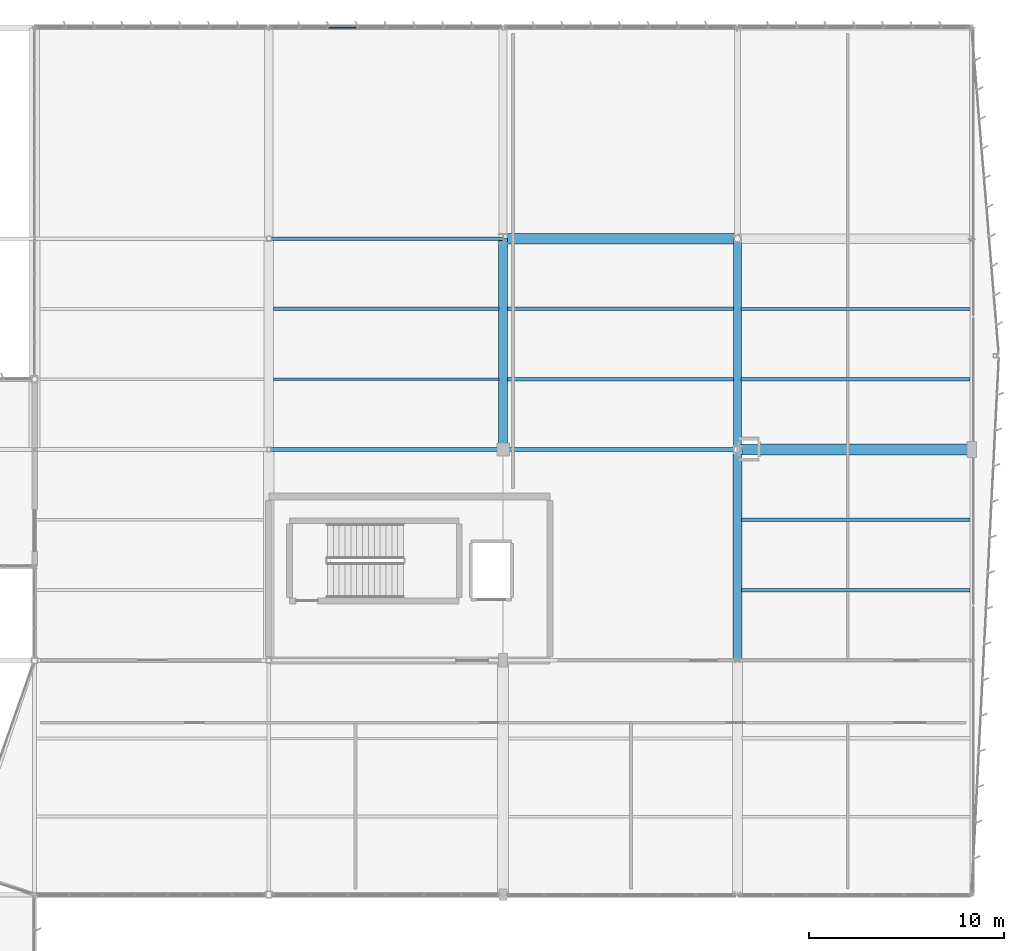
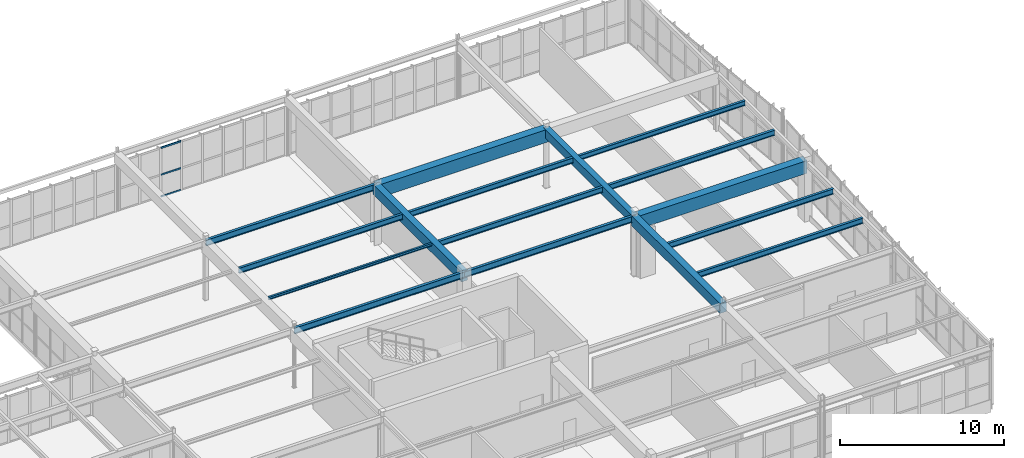
# One storey, part 108 of 186: 16 beams, 3 members, 1 element without a shape of its own.
"""IFC4 building model written with IfcOpenShell, lengths in metres."""

from ifc_helpers import new_model, si_unit, direction, frame, origin, origin_2d, place, context, subcontext, project, spatial, rectangle, i_section, extrude, material, layer, layer_set, material_profile, profile_set, type_object, element, aggregate, save


model = new_model("IFC4")

# Units and contexts
model_context = context("Model", 3, precision=1e-05, world=origin(), true_north=direction((0.0, 1.0)))
body_context = subcontext(model_context, "Body", "Model", "MODEL_VIEW")
ifc_project = project(units=[si_unit("LENGTHUNIT", "METRE"), si_unit("AREAUNIT", "SQUARE_METRE"), si_unit("VOLUMEUNIT", "CUBIC_METRE"), si_unit("PLANEANGLEUNIT", "RADIAN"), si_unit("MASSUNIT", "GRAM", prefix="KILO")], contexts=[model_context])

# Site, building, storey
site_placement = place(None, origin())
site = spatial("IfcSite", under=ifc_project, at=site_placement, CompositionType="ELEMENT")
building_placement = place(site_placement, origin())
building = spatial("IfcBuilding", under=site, at=building_placement, Name="Tarnwether General Hospital", CompositionType="ELEMENT")
storey_placement = place(building_placement, frame((0.0, 0.0, 9.60009765625)))
storey = spatial("IfcBuildingStorey", under=building, at=storey_placement, Name="L02", CompositionType="ELEMENT", Elevation=9.60009765625)

# Beams
ifc_material_1 = material(Name="Steel Grade 350 (350 MPa)", Category="steel")
ifc_material_profile_1 = material_profile(ifc_material_1, i_section(OverallWidth=0.18994140625, OverallDepth=0.45703125, WebThickness=0.009033203125, FlangeThickness=0.014404296875, at=origin_2d()), Name="460UB74.6")
ifc_profile_set_1 = profile_set([ifc_material_profile_1], Name="Steel Grade 350 (350 MPa)")
beam_type_1 = type_object("IfcBeamType", Name="BM-G09", PredefinedType="BEAM", material=ifc_profile_set_1)
beam_1_placement = place(storey_placement, frame((156.0, 104.39990234375, 4.21630859375), z_axis=(1.0, 0.0, 0.0), x_axis=(0.0, 1.0, 0.0)))
element("IfcBeam", 1, at=beam_1_placement, inside=storey, type_object=beam_type_1, Name="Primary Girder BMG-L02-15600_10440-16800_10440-1601", PredefinedType="BEAM", context=body_context, shape_type="SweptSolid", body=[
    extrude(i_section(OverallWidth=0.18994140625, OverallDepth=0.45703125, WebThickness=0.009033203125, FlangeThickness=0.014404296875, at=origin_2d()), origin(), (0.0, 0.0, 1.0), 12.0),
])
ifc_material_2 = material(Name="Steel Grade 350 (350 MPa)", Category="steel")
ifc_material_profile_2 = material_profile(ifc_material_2, i_section(OverallWidth=0.18994140625, OverallDepth=0.4541015625, WebThickness=0.008544921875, FlangeThickness=0.0126953125, at=origin_2d()), Name="460UB67.1")
ifc_profile_set_2 = profile_set([ifc_material_profile_2], Name="Steel Grade 350 (350 MPa)")
beam_type_2 = type_object("IfcBeamType", Name="BM-G10", PredefinedType="BEAM", material=ifc_profile_set_2)
for number, where, z_axis, x_axis, name in (
    (2, (156.0, 115.199951171875, 4.218017578125), (1.0, 0.0, 0.0), (0.0, 1.0, 0.0), "Primary Girder BMG-L02-15600_11520-16800_11520-1603"),
    (3, (168.0, 104.39990234375, 4.212890625), (1.0, 0.0, 0.0), (0.0, 1.0, 0.0), "Primary Girder BMG-L02-16800_10440-18000_10440-1617"),
):
    element("IfcBeam", number, at=place(storey_placement, frame(where, z_axis=z_axis, x_axis=x_axis)), inside=storey, type_object=beam_type_2, Name=name, PredefinedType="BEAM", context=body_context, shape_type="SweptSolid", body=[
        extrude(i_section(OverallWidth=0.18994140625, OverallDepth=0.4541015625, WebThickness=0.008544921875, FlangeThickness=0.0126953125, at=origin_2d()), origin(), (0.0, 0.0, 1.0), 12.0),
    ])
ifc_material_3 = material(Name="Concrete 40 MPa", Category="concrete")
ifc_material_profile_3 = material_profile(ifc_material_3, rectangle(XDim=0.550048828125, YDim=0.949951171875, at=origin_2d()), Name="RC-BM-550x950")
ifc_profile_set_3 = profile_set([ifc_material_profile_3], Name="Concrete 40 MPa")
beam_type_3 = type_object("IfcBeamType", Name="BM-G11", PredefinedType="BEAM", material=ifc_profile_set_3)
for number, where, z_axis, x_axis, name in (
    (4, (168.0, 115.199951171875, 3.96484375), (1.0, 0.0, 0.0), (0.0, 1.0, 0.0), "Primary Girder BMG-L02-16800_11520-18000_11520-1619"),
    (5, (180.0, 104.39990234375, 3.96484375), (1.0, 0.0, 0.0), (0.0, 1.0, 0.0), "Primary Girder BMG-L02-18000_10440-19200_10440-1635"),
):
    element("IfcBeam", number, at=place(storey_placement, frame(where, z_axis=z_axis, x_axis=x_axis)), inside=storey, type_object=beam_type_3, Name=name, PredefinedType="BEAM", context=body_context, shape_type="SweptSolid", body=[
        extrude(rectangle(XDim=0.550048828125, YDim=0.949951171875, at=origin_2d()), origin(), (0.0, 0.0, 1.0), 12.0),
    ])
ifc_material_4 = material(Name="Concrete 40 MPa", Category="concrete")
ifc_material_profile_4 = material_profile(ifc_material_4, rectangle(XDim=0.449951171875, YDim=0.75, at=origin_2d()), Name="RC-BM-450x750")
ifc_profile_set_4 = profile_set([ifc_material_profile_4], Name="Concrete 40 MPa")
beam_type_4 = type_object("IfcBeamType", Name="BM-G13", PredefinedType="BEAM", material=ifc_profile_set_4)
beam_2_placement = place(storey_placement, frame((168.0, 104.39990234375, 4.06982421875), z_axis=(0.0, 1.0, 0.0), x_axis=(-1.0, 0.0, 0.0)))
element("IfcBeam", 6, at=beam_2_placement, inside=storey, type_object=beam_type_4, Name="Primary Girder BMG-L02-16800_10440-16800_11520-1618", PredefinedType="BEAM", context=body_context, shape_type="SweptSolid", body=[
    extrude(rectangle(XDim=0.449951171875, YDim=0.75, at=origin_2d()), origin(), (0.0, 0.0, 1.0), 10.800048828125),
])
beam_3_placement = place(storey_placement, frame((180.0, 93.60009765625, 4.06494140625), z_axis=(0.0, 1.0, 0.0), x_axis=(-1.0, 0.0, 0.0)))
element("IfcBeam", 7, at=beam_3_placement, inside=storey, type_object=beam_type_4, Name="Primary Girder BMG-L02-18000_9360-18000_10440-1634", PredefinedType="BEAM", context=body_context, shape_type="SweptSolid", body=[
    extrude(rectangle(XDim=0.449951171875, YDim=0.75, at=origin_2d()), origin(), (0.0, 0.0, 1.0), 10.7998046875),
])
ifc_material_5 = material(Name="Concrete 40 MPa", Category="concrete")
ifc_material_profile_5 = material_profile(ifc_material_5, rectangle(XDim=0.39990234375, YDim=0.64990234375, at=origin_2d()), Name="RC-BM-400x650")
ifc_profile_set_5 = profile_set([ifc_material_profile_5], Name="Concrete 40 MPa")
beam_type_5 = type_object("IfcBeamType", Name="BM-G14", PredefinedType="BEAM", material=ifc_profile_set_5)
beam_4_placement = place(storey_placement, frame((180.0, 104.39990234375, 4.114990234375), z_axis=(0.0, 1.0, 0.0), x_axis=(-1.0, 0.0, 0.0)))
element("IfcBeam", 8, at=beam_4_placement, inside=storey, type_object=beam_type_5, Name="Primary Girder BMG-L02-18000_10440-18000_11520-1636", PredefinedType="BEAM", context=body_context, shape_type="SweptSolid", body=[
    extrude(rectangle(XDim=0.39990234375, YDim=0.64990234375, at=origin_2d()), origin(), (0.0, 0.0, 1.0), 10.800048828125),
])
ifc_material_6 = material(Name="Steel Grade 350 (350 MPa)", Category="steel")
ifc_material_profile_6 = material_profile(ifc_material_6, i_section(OverallWidth=0.177978515625, OverallDepth=0.406005859375, WebThickness=0.0078125, FlangeThickness=0.0126953125, at=origin_2d()), Name="410UB59.7")
ifc_profile_set_6 = profile_set([ifc_material_profile_6], Name="Steel Grade 350 (350 MPa)")
beam_type_6 = type_object("IfcBeamType", Name="BM-J01", PredefinedType="JOIST", material=ifc_profile_set_6)
beam_5_placement = place(storey_placement, frame((156.243896484375, 111.60009765625, 4.241943359375), z_axis=(1.0, 0.0, 0.0), x_axis=(0.0, 1.0, 0.0)))
element("IfcBeam", 9, at=beam_5_placement, inside=storey, type_object=beam_type_6, Name="Composite Floor Joist BMG-L02-15624_11160-16778_11160-1729", PredefinedType="JOIST", context=body_context, shape_type="SweptSolid", body=[
    extrude(i_section(OverallWidth=0.177978515625, OverallDepth=0.406005859375, WebThickness=0.0078125, FlangeThickness=0.0126953125, at=origin_2d()), origin(), (0.0, 0.0, 1.0), 11.537109375),
])
beam_6_placement = place(storey_placement, frame((168.218994140625, 108.0, 4.23681640625), z_axis=(1.0, 0.0, 0.0), x_axis=(0.0, 1.0, 0.0)))
element("IfcBeam", 10, at=beam_6_placement, inside=storey, type_object=beam_type_6, Name="Composite Floor Joist BMG-L02-16822_10800-17981_10800-1738", PredefinedType="JOIST", context=body_context, shape_type="SweptSolid", body=[
    extrude(i_section(OverallWidth=0.177978515625, OverallDepth=0.406005859375, WebThickness=0.0078125, FlangeThickness=0.0126953125, at=origin_2d()), origin(), (0.0, 0.0, 1.0), 11.5869140625),
])
beam_7_placement = place(storey_placement, frame((180.218994140625, 97.199951171875, 4.23681640625), z_axis=(1.0, 0.0, 0.0), x_axis=(0.0, 1.0, 0.0)))
element("IfcBeam", 11, at=beam_7_placement, inside=storey, type_object=beam_type_6, Name="Composite Floor Joist BMG-L02-18022_9720-19191_9720-1750", PredefinedType="JOIST", context=body_context, shape_type="SweptSolid", body=[
    extrude(i_section(OverallWidth=0.177978515625, OverallDepth=0.406005859375, WebThickness=0.0078125, FlangeThickness=0.0126953125, at=origin_2d()), origin(), (0.0, 0.0, 1.0), 11.69189453125),
])
ifc_material_7 = material(Name="Steel Grade 350 (350 MPa)", Category="steel")
ifc_material_profile_7 = material_profile(ifc_material_7, i_section(OverallWidth=0.177978515625, OverallDepth=0.403076171875, WebThickness=0.007568359375, FlangeThickness=0.010986328125, at=origin_2d()), Name="410UB53.7")
ifc_profile_set_7 = profile_set([ifc_material_profile_7], Name="Steel Grade 350 (350 MPa)")
beam_type_7 = type_object("IfcBeamType", Name="BM-J02", PredefinedType="JOIST", material=ifc_profile_set_7)
beam_8_placement = place(storey_placement, frame((168.218994140625, 111.60009765625, 4.23828125), z_axis=(1.0, 0.0, 0.0), x_axis=(0.0, 1.0, 0.0)))
element("IfcBeam", 12, at=beam_8_placement, inside=storey, type_object=beam_type_7, Name="Composite Floor Joist BMG-L02-16822_11160-17981_11160-1739", PredefinedType="JOIST", context=body_context, shape_type="SweptSolid", body=[
    extrude(i_section(OverallWidth=0.177978515625, OverallDepth=0.403076171875, WebThickness=0.007568359375, FlangeThickness=0.010986328125, at=origin_2d()), origin(), (0.0, 0.0, 1.0), 11.5869140625),
])
beam_9_placement = place(storey_placement, frame((180.218994140625, 100.800048828125, 4.23828125), z_axis=(1.0, 0.0, 0.0), x_axis=(0.0, 1.0, 0.0)))
element("IfcBeam", 13, at=beam_9_placement, inside=storey, type_object=beam_type_7, Name="Composite Floor Joist BMG-L02-18022_10080-19191_10080-1751", PredefinedType="JOIST", context=body_context, shape_type="SweptSolid", body=[
    extrude(i_section(OverallWidth=0.177978515625, OverallDepth=0.403076171875, WebThickness=0.007568359375, FlangeThickness=0.010986328125, at=origin_2d()), origin(), (0.0, 0.0, 1.0), 11.69189453125),
])
beam_10_placement = place(storey_placement, frame((180.194091796875, 108.0, 4.23828125), z_axis=(1.0, 0.0, 0.0), x_axis=(0.0, 1.0, 0.0)))
element("IfcBeam", 14, at=beam_10_placement, inside=storey, type_object=beam_type_7, Name="Composite Floor Joist BMG-L02-18019_10800-19192_10800-1752", PredefinedType="JOIST", context=body_context, shape_type="SweptSolid", body=[
    extrude(i_section(OverallWidth=0.177978515625, OverallDepth=0.403076171875, WebThickness=0.007568359375, FlangeThickness=0.010986328125, at=origin_2d()), origin(), (0.0, 0.0, 1.0), 11.722900390625),
])
ifc_material_8 = material(Name="Steel Grade 350 (350 MPa)", Category="steel")
ifc_material_profile_8 = material_profile(ifc_material_8, i_section(OverallWidth=0.172119140625, OverallDepth=0.35888671875, WebThickness=0.008056640625, FlangeThickness=0.012939453125, at=origin_2d()), Name="360UB56.7")
ifc_profile_set_8 = profile_set([ifc_material_profile_8], Name="Steel Grade 350 (350 MPa)")
beam_type_8 = type_object("IfcBeamType", Name="BM-J03", PredefinedType="JOIST", material=ifc_profile_set_8)
beam_11_placement = place(storey_placement, frame((180.194091796875, 111.60009765625, 4.260498046875), z_axis=(1.0, 0.0, 0.0), x_axis=(0.0, 1.0, 0.0)))
element("IfcBeam", 15, at=beam_11_placement, inside=storey, type_object=beam_type_8, Name="Composite Floor Joist BMG-L02-18019_11160-19192_11160-1753", PredefinedType="JOIST", context=body_context, shape_type="SweptSolid", body=[
    extrude(i_section(OverallWidth=0.172119140625, OverallDepth=0.35888671875, WebThickness=0.008056640625, FlangeThickness=0.012939453125, at=origin_2d()), origin(), (0.0, 0.0, 1.0), 11.722900390625),
])
ifc_material_9 = material(Name="Steel Grade 350 (350 MPa)", Category="steel")
ifc_material_profile_9 = material_profile(ifc_material_9, i_section(OverallWidth=0.134033203125, OverallDepth=0.20703125, WebThickness=0.00634765625, FlangeThickness=0.009521484375, at=origin_2d()), Name="200UB29.8")
ifc_profile_set_9 = profile_set([ifc_material_profile_9], Name="Steel Grade 350 (350 MPa)")
beam_type_9 = type_object("IfcBeamType", Name="BM-J12", PredefinedType="JOIST", material=ifc_profile_set_9)
beam_12_placement = place(storey_placement, frame((156.243896484375, 108.0, 4.34130859375), z_axis=(1.0, 0.0, 0.0), x_axis=(0.0, 1.0, 0.0)))
element("IfcBeam", 16, at=beam_12_placement, inside=storey, type_object=beam_type_9, Name="Composite Floor Joist BMG-L02-15624_10800-16778_10800-1728", PredefinedType="JOIST", context=body_context, shape_type="SweptSolid", body=[
    extrude(i_section(OverallWidth=0.134033203125, OverallDepth=0.20703125, WebThickness=0.00634765625, FlangeThickness=0.009521484375, at=origin_2d()), origin(), (0.0, 0.0, 1.0), 11.537109375),
])

# Curtain wall, members
ifc_material_10 = material(Name="Anodised aluminium", Category="aluminium")
ifc_layer = layer(ifc_material_10, 0.159912109375)
ifc_layer_set = layer_set([ifc_layer], Name="Anodised aluminium")
curtain_wall_type = type_object("IfcCurtainWallType", Name="CW-16", PredefinedType="NOTDEFINED", material=ifc_layer_set)
curtain_wall_placement = place(storey_placement, origin())
curtain_wall = element("IfcCurtainWall", 17, at=curtain_wall_placement, inside=storey, type_object=curtain_wall_type, Name="Curtain Wall CWG-L02-1561_1260-0463", PredefinedType="NOTDEFINED")
ifc_material_11 = material(Name="Anodised aluminium", Category="aluminium")
ifc_material_profile_10 = material_profile(ifc_material_11, rectangle(XDim=0.06005859375, YDim=0.1201171875, at=origin_2d()), Name="ALU-TRN-60x120")
ifc_profile_set_10 = profile_set([ifc_material_profile_10], Name="Anodised aluminium")
member_type = type_object("IfcMemberType", Name="CW-TR1", PredefinedType="USERDEFINED", material=ifc_profile_set_10)
member_1_placement = place(storey_placement, frame((159.069091796875, 126.0, 0.02978515625), z_axis=(1.0, 0.0, 0.0), x_axis=(0.0, 1.0, 0.0)))
member_1 = element("IfcMember", 18, at=member_1_placement, type_object=member_type, Name="CW-16 transom 3.1", ObjectType="TRANSOM", PredefinedType="USERDEFINED", context=body_context, shape_type="SweptSolid", body=[
    extrude(rectangle(XDim=0.06005859375, YDim=0.1201171875, at=origin_2d()), origin(), (0.0, 0.0, 1.0), 1.416015625),
])
member_2_placement = place(storey_placement, frame((159.069091796875, 126.0, 1.656005859375), z_axis=(1.0, 0.0, 0.0), x_axis=(0.0, 1.0, 0.0)))
member_2 = element("IfcMember", 19, at=member_2_placement, type_object=member_type, Name="CW-16 transom 3.2", ObjectType="TRANSOM", PredefinedType="USERDEFINED", context=body_context, shape_type="SweptSolid", body=[
    extrude(rectangle(XDim=0.06005859375, YDim=0.1201171875, at=origin_2d()), origin(), (0.0, 0.0, 1.0), 1.416015625),
])
member_3_placement = place(storey_placement, frame((159.069091796875, 126.0, 3.64990234375), z_axis=(1.0, 0.0, 0.0), x_axis=(0.0, 1.0, 0.0)))
member_3 = element("IfcMember", 20, at=member_3_placement, type_object=member_type, Name="CW-16 transom 3.3", ObjectType="TRANSOM", PredefinedType="USERDEFINED", context=body_context, shape_type="SweptSolid", body=[
    extrude(rectangle(XDim=0.06005859375, YDim=0.1201171875, at=origin_2d()), origin(), (0.0, 0.0, 1.0), 1.416015625),
])
aggregate(curtain_wall, [member_1, member_2, member_3])

save(model, "model.ifc")
